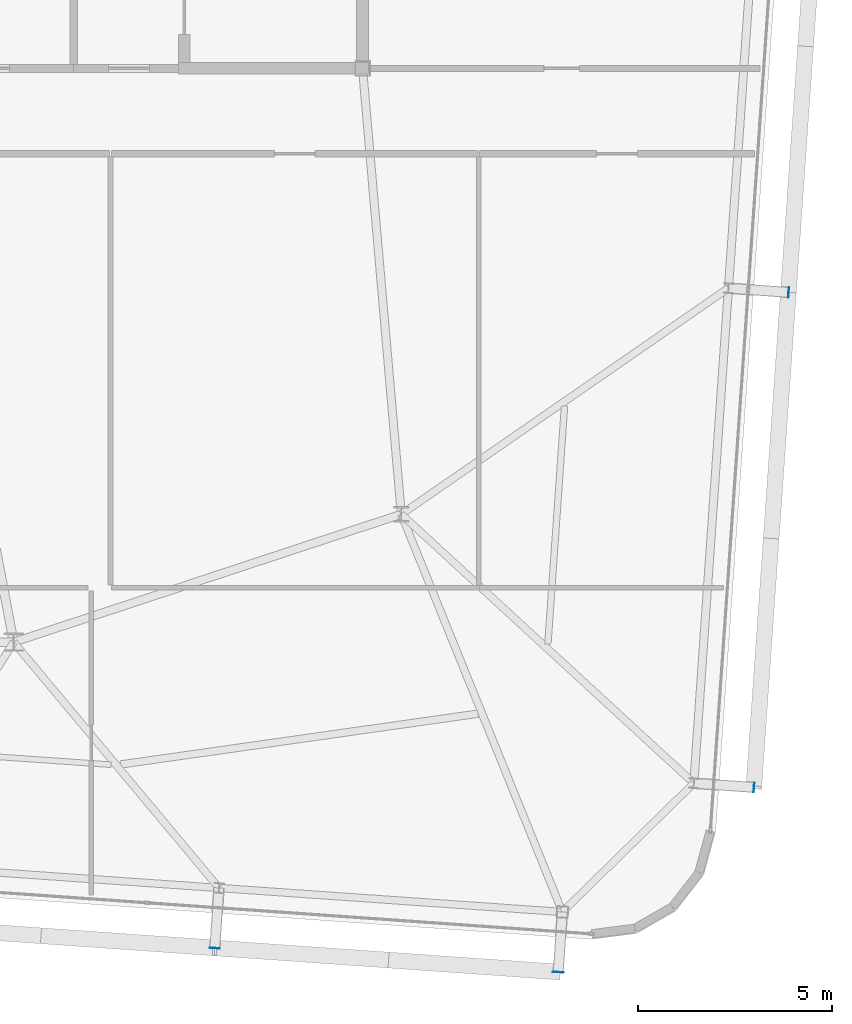
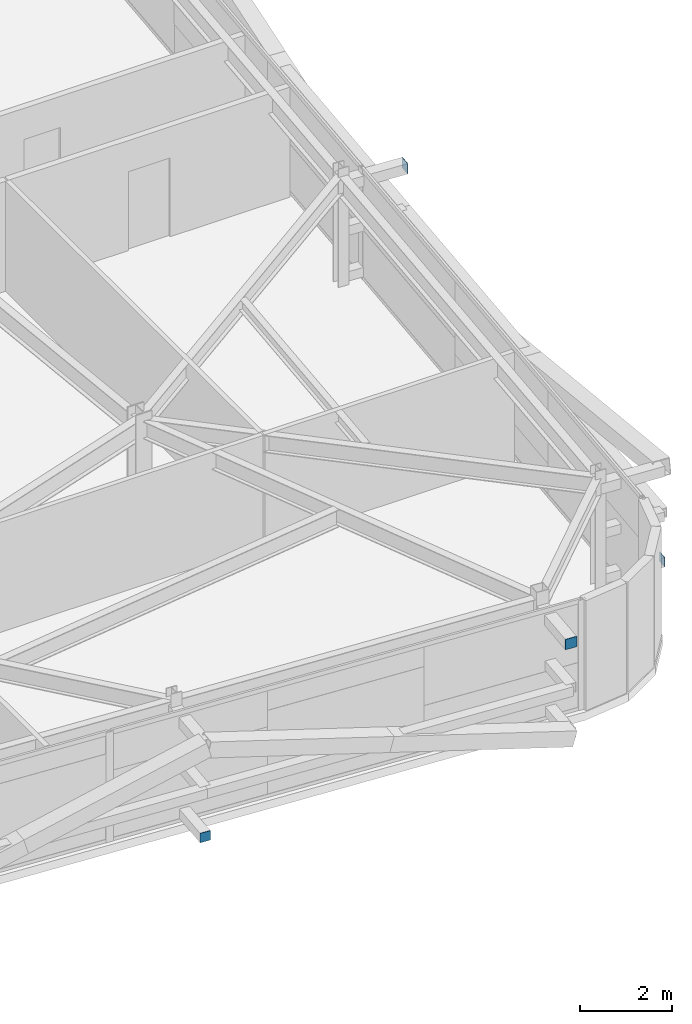
# One storey, part 30 of 39: 4 plates.
"""IFC4 building model written with IfcOpenShell, lengths in metres."""

from ifc_helpers import new_model, si_unit, direction, frame, origin, origin_2d, place, context, subcontext, project, spatial, rectangle, extrude, source, transform, mapped, material, layer, layer_set, type_object, element, save


model = new_model("IFC4")

# Units and contexts
model_context = context("Model", 3, precision=1e-05, world=origin(), true_north=direction((0.0, 1.0)))
body_context = subcontext(model_context, "Body", "Model", "MODEL_VIEW")
ifc_project = project(units=[si_unit("LENGTHUNIT", "METRE"), si_unit("AREAUNIT", "SQUARE_METRE"), si_unit("VOLUMEUNIT", "CUBIC_METRE"), si_unit("PLANEANGLEUNIT", "RADIAN"), si_unit("MASSUNIT", "GRAM", prefix="KILO")], contexts=[model_context])

# Site, building, storey
site_placement = place(None, origin())
site = spatial("IfcSite", under=ifc_project, at=site_placement, CompositionType="ELEMENT")
building_placement = place(site_placement, origin())
building = spatial("IfcBuilding", under=site, at=building_placement, Name="Taldren Reach Tower", CompositionType="ELEMENT")
storey_placement = place(building_placement, frame((0.0, 0.0, 129.85009765625)))
storey = spatial("IfcBuildingStorey", under=building, at=storey_placement, Name="L39", CompositionType="ELEMENT", Elevation=129.85009765625)

# Plates
ifc_material_1 = material(Name="Steel Gr 450 (C450L0)", Category="steel")
ifc_layer_1 = layer(ifc_material_1, 0.011962890625)
ifc_layer_set_1 = layer_set([ifc_layer_1], Name="Steel Gr 450 (C450L0)")
plate_type_1 = type_object("IfcPlateType", Name="PL-CAP-275", PredefinedType="SHEET", material=ifc_layer_set_1)
shared_shape_1 = source(origin(), body_context, "Body", "SweptSolid", [
    extrude(rectangle(XDim=0.27490234375, YDim=0.011962890625, at=origin_2d()), origin(), (0.0, 0.0, 1.0), 0.27490234375),
])
plate_1_placement = place(storey_placement, frame((56.046875, 0.68896484375, 2.512451171875), z_axis=(0.0, 0.0, 1.0), x_axis=(0.99756405026, -0.069756473744, 0.0)))
element("IfcPlate", 1, at=plate_1_placement, inside=storey, type_object=plate_type_1, Name="Tie strut end cap plate B3-S6 L39", PredefinedType="SHEET", context=body_context, shape_type="MappedRepresentation", body=[
    mapped(shared_shape_1, transform((0.0, 0.0, 0.0), scale=1.0)),
])
shared_shape_2 = source(origin(), body_context, "Body", "SweptSolid", [
    extrude(rectangle(XDim=0.011962890625, YDim=0.27490234375, at=origin_2d()), origin(), (0.0, 0.0, 1.0), 0.27490234375),
])
plate_2_placement = place(storey_placement, frame((61.990478515625, 18.22314453125, 2.512451171875), z_axis=(0.0, 0.0, 1.0), x_axis=(0.99756405026, -0.069756473744, 0.0)))
element("IfcPlate", 2, at=plate_2_placement, inside=storey, type_object=plate_type_1, Name="Tie strut end cap plate B3-E2 L39", PredefinedType="SHEET", context=body_context, shape_type="MappedRepresentation", body=[
    mapped(shared_shape_2, transform((0.0, 0.0, 0.0), scale=1.0)),
])
ifc_material_2 = material(Name="Steel Gr 350 (C350L0)", Category="steel")
ifc_layer_2 = layer(ifc_material_2, 0.011962890625)
ifc_layer_set_2 = layer_set([ifc_layer_2], Name="Steel Gr 350 (C350L0)")
plate_type_2 = type_object("IfcPlateType", Name="PL-CAP-250", PredefinedType="SHEET", material=ifc_layer_set_2)
shared_shape_3 = source(origin(), body_context, "Body", "SweptSolid", [
    extrude(rectangle(XDim=0.25, YDim=0.011962890625, at=origin_2d()), origin(), (0.0, 0.0, 1.0), 0.25),
])
plate_3_placement = place(storey_placement, frame((47.1884765625, 1.308349609375, 0.094970703125), z_axis=(0.0, 0.0, 1.0), x_axis=(0.99756405026, -0.069756473744, 0.0)))
element("IfcPlate", 3, at=plate_3_placement, inside=storey, type_object=plate_type_2, Name="Tie strut end cap plate B3-S5 L39", PredefinedType="SHEET", context=body_context, shape_type="MappedRepresentation", body=[
    mapped(shared_shape_3, transform((0.0, 0.0, 0.0), scale=1.0)),
])
shared_shape_4 = source(origin(), body_context, "Body", "SweptSolid", [
    extrude(rectangle(XDim=0.011962890625, YDim=0.25, at=origin_2d()), origin(), (0.0, 0.0, 1.0), 0.25),
])
plate_4_placement = place(storey_placement, frame((61.09765625, 5.454345703125, 0.094970703125), z_axis=(0.0, 0.0, 1.0), x_axis=(0.99756405026, -0.069756473744, 0.0)))
element("IfcPlate", 4, at=plate_4_placement, inside=storey, type_object=plate_type_2, Name="Tie strut end cap plate B3-E1 L39", PredefinedType="SHEET", context=body_context, shape_type="MappedRepresentation", body=[
    mapped(shared_shape_4, transform((0.0, 0.0, 0.0), scale=1.0)),
])

save(model, "model.ifc")
